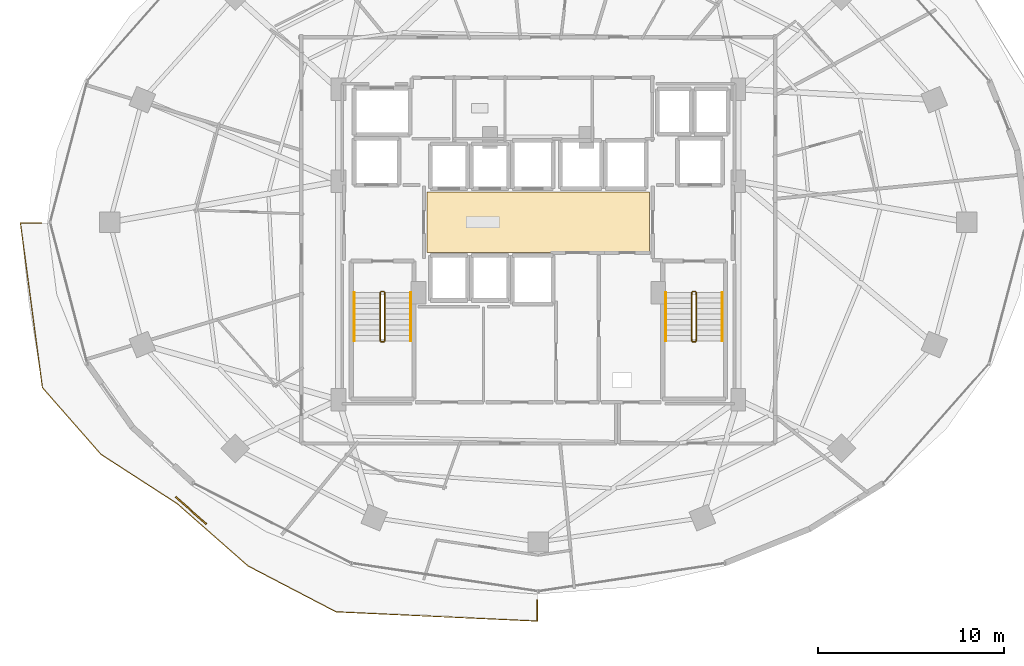
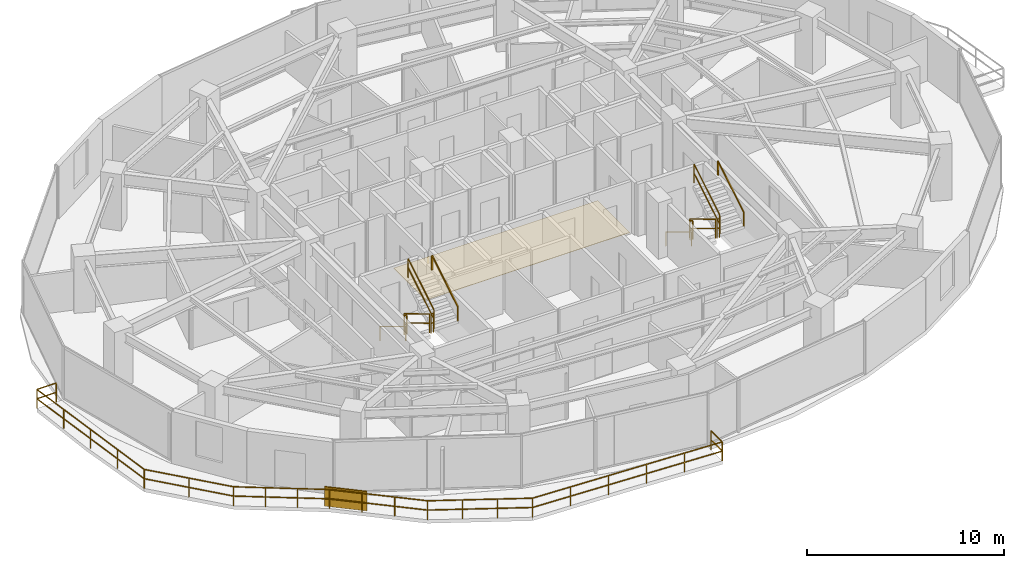
# One storey, part 27 of 29: 14 railings, 1 covering, 1 shading device.
"""IFC4 building model written with IfcOpenShell, lengths in metres."""

from ifc_helpers import new_model, si_unit, direction, frame, origin, origin_2d, place, context, subcontext, project, spatial, polyline, rectangle, outline, extrude, material, layer, layer_set, type_object, element, save


model = new_model("IFC4")

# Units and contexts
model_context = context("Model", 3, precision=1e-05, world=origin(), true_north=direction((0.0, 1.0)))
body_context = subcontext(model_context, "Body", "Model", "MODEL_VIEW")
ifc_project = project(units=[si_unit("LENGTHUNIT", "METRE"), si_unit("AREAUNIT", "SQUARE_METRE"), si_unit("VOLUMEUNIT", "CUBIC_METRE"), si_unit("PLANEANGLEUNIT", "RADIAN"), si_unit("MASSUNIT", "GRAM", prefix="KILO")], contexts=[model_context])

# Site, building, storey
site_placement = place(None, origin())
site = spatial("IfcSite", under=ifc_project, at=site_placement, CompositionType="ELEMENT")
building_placement = place(site_placement, origin())
building = spatial("IfcBuilding", under=site, at=building_placement, Name="Vorneva Point Tower", CompositionType="ELEMENT")
storey_placement = place(building_placement, frame((0.0, 0.0, 117.300048828125)))
storey = spatial("IfcBuildingStorey", under=building, at=storey_placement, Name="L31", CompositionType="ELEMENT", Elevation=117.300048828125)

# Covering
ifc_material_1 = material(Name="Acoustic wool hospitality carpet", Category="textile")
ifc_layer = layer(ifc_material_1, 0.01806640625)
ifc_layer_set = layer_set([ifc_layer], Name="Acoustic wool hospitality carpet")
covering_type = type_object("IfcCoveringType", Name="COV-FLR-CRP", PredefinedType="FLOORING", material=ifc_layer_set)
covering_placement = place(storey_placement, frame((0.0, 0.0, -0.005126953125)))
element("IfcCovering", 1, at=covering_placement, inside=storey, type_object=covering_type, Name="L31 Lift Lobby Floor Finish", PredefinedType="FLOORING", context=body_context, shape_type="SweptSolid", body=[
    extrude(outline(polyline([(32.02001953125, 24.3701171875), (43.97998046875, 24.3701171875), (43.97998046875, 27.6298828125), (32.02001953125, 27.6298828125), (32.02001953125, 24.3701171875)])), origin(), (0.0, 0.0, 1.0), 0.023193359375),
])

# Railings
ifc_material_2 = material(Name="Pale anodised aluminium", Category="aluminium")
railing_type_1 = type_object("IfcRailingType", Name="RL-BAL-1200", PredefinedType="BALUSTRADE", material=ifc_material_2)
railing_1_placement = place(storey_placement, frame((37.949951171875, 4.547607421875, 0.0)))
element("IfcRailing", 2, at=railing_1_placement, inside=storey, type_object=railing_type_1, Name="L31 Wave Balcony Balustrade SW.1", PredefinedType="BALUSTRADE", context=body_context, shape_type="SweptSolid", body=[
    extrude(rectangle(XDim=0.048095703125, YDim=0.048095703125, at=origin_2d()), frame((0.0, 0.0, 1.17578125), z_axis=(0.0, 1.0, 0.0), x_axis=(-1.0, 0.0, 0.0)), (0.0, 0.0, 1.0), 1.13525390625),
    extrude(rectangle(XDim=0.048095703125, YDim=0.048095703125, at=origin_2d()), frame((0.0, 0.0, 0.60009765625), z_axis=(0.0, 1.0, 0.0), x_axis=(-1.0, 0.0, 0.0)), (0.0, 0.0, 1.0), 1.13525390625),
    extrude(rectangle(XDim=0.0419921875, YDim=0.0419921875, at=origin_2d()), origin(), (0.0, 0.0, 1.0), 1.15185546875),
    extrude(rectangle(XDim=0.0419921875, YDim=0.0419921875, at=origin_2d()), frame((0.0, 1.13525390625, 0.0)), (0.0, 0.0, 1.0), 1.15185546875),
])
railing_2_placement = place(storey_placement, frame((11.28369140625, 25.949951171875, 0.0)))
element("IfcRailing", 3, at=railing_2_placement, inside=storey, type_object=railing_type_1, Name="L31 Wave Balcony Balustrade SW.2", PredefinedType="BALUSTRADE", context=body_context, shape_type="SweptSolid", body=[
    extrude(rectangle(XDim=0.048095703125, YDim=0.048095703125, at=origin_2d()), frame((0.0, 0.0, 1.17578125), z_axis=(-1.0, 0.0, 0.0), x_axis=(0.0, -1.0, 0.0)), (0.0, 0.0, 1.0), 1.13330078125),
    extrude(rectangle(XDim=0.048095703125, YDim=0.048095703125, at=origin_2d()), frame((0.0, 0.0, 0.60009765625), z_axis=(-1.0, 0.0, 0.0), x_axis=(0.0, -1.0, 0.0)), (0.0, 0.0, 1.0), 1.13330078125),
    extrude(rectangle(XDim=0.048095703125, YDim=0.048095703125, at=origin_2d()), frame((-1.13330078125, 0.0, 1.17578125), z_axis=(0.132272984189, -0.991213326007, 0.0), x_axis=(0.991213326007, 0.132272984189, 0.0)), (0.0, 0.0, 1.0), 8.927734375),
    extrude(rectangle(XDim=0.048095703125, YDim=0.048095703125, at=origin_2d()), frame((-1.13330078125, 0.0, 0.60009765625), z_axis=(0.132272984189, -0.991213326007, 0.0), x_axis=(0.991213326007, 0.132272984189, 0.0)), (0.0, 0.0, 1.0), 8.927734375),
    extrude(rectangle(XDim=0.048095703125, YDim=0.048095703125, at=origin_2d()), frame((0.047607421875, -8.849365234375, 1.17578125), z_axis=(0.65966820994, -0.751556952463, 0.0), x_axis=(0.751556952463, 0.65966820994, 0.0)), (0.0, 0.0, 1.0), 4.77978515625),
    extrude(rectangle(XDim=0.048095703125, YDim=0.048095703125, at=origin_2d()), frame((0.047607421875, -8.849365234375, 0.60009765625), z_axis=(0.65966820994, -0.751556952463, 0.0), x_axis=(0.751556952463, 0.65966820994, 0.0)), (0.0, 0.0, 1.0), 4.77978515625),
    extrude(rectangle(XDim=0.048095703125, YDim=0.048095703125, at=origin_2d()), frame((3.20068359375, -12.441650390625, 1.17578125), z_axis=(0.839743461162, -0.542983350975, 0.0), x_axis=(0.542983350975, 0.839743461162, 0.0)), (0.0, 0.0, 1.0), 4.87451171875),
    extrude(rectangle(XDim=0.048095703125, YDim=0.048095703125, at=origin_2d()), frame((3.20068359375, -12.441650390625, 0.60009765625), z_axis=(0.839743461162, -0.542983350975, 0.0), x_axis=(0.542983350975, 0.839743461162, 0.0)), (0.0, 0.0, 1.0), 4.87451171875),
    extrude(rectangle(XDim=0.048095703125, YDim=0.048095703125, at=origin_2d()), frame((7.2939453125, -15.08837890625, 1.17578125), z_axis=(0.750995803, -0.660306977001, 0.0), x_axis=(0.660306977001, 0.750995803, 0.0)), (0.0, 0.0, 1.0), 5.0771484375),
    extrude(rectangle(XDim=0.048095703125, YDim=0.048095703125, at=origin_2d()), frame((7.2939453125, -15.08837890625, 0.60009765625), z_axis=(0.750995803, -0.660306977001, 0.0), x_axis=(0.660306977001, 0.750995803, 0.0)), (0.0, 0.0, 1.0), 5.0771484375),
    extrude(rectangle(XDim=0.048095703125, YDim=0.048095703125, at=origin_2d()), frame((11.10693359375, -18.44091796875, 1.17578125), z_axis=(0.886830442852, -0.462094974688, 0.0), x_axis=(0.462094974688, 0.886830442852, 0.0)), (0.0, 0.0, 1.0), 5.33251953125),
    extrude(rectangle(XDim=0.048095703125, YDim=0.048095703125, at=origin_2d()), frame((11.10693359375, -18.44091796875, 0.60009765625), z_axis=(0.886830442852, -0.462094974688, 0.0), x_axis=(0.462094974688, 0.886830442852, 0.0)), (0.0, 0.0, 1.0), 5.33251953125),
    extrude(rectangle(XDim=0.048095703125, YDim=0.048095703125, at=origin_2d()), frame((15.8359375, -20.905029296875, 1.17578125), z_axis=(0.998947400212, -0.045870378356, 0.0), x_axis=(0.045870378356, 0.998947400212, 0.0)), (0.0, 0.0, 1.0), 10.841796875),
    extrude(rectangle(XDim=0.048095703125, YDim=0.048095703125, at=origin_2d()), frame((15.8359375, -20.905029296875, 0.60009765625), z_axis=(0.998947400212, -0.045870378356, 0.0), x_axis=(0.045870378356, 0.998947400212, 0.0)), (0.0, 0.0, 1.0), 10.841796875),
    extrude(rectangle(XDim=0.0419921875, YDim=0.0419921875, at=origin_2d()), origin(), (0.0, 0.0, 1.0), 1.15185546875),
    extrude(rectangle(XDim=0.0419921875, YDim=0.0419921875, at=origin_2d()), frame((-1.13330078125, 0.0, 0.0)), (0.0, 0.0, 1.0), 1.15185546875),
    extrude(rectangle(XDim=0.0419921875, YDim=0.0419921875, at=origin_2d()), frame((-0.838134765625, -2.21240234375, 0.0)), (0.0, 0.0, 1.0), 1.15185546875),
    extrude(rectangle(XDim=0.0419921875, YDim=0.0419921875, at=origin_2d()), frame((-0.54296875, -4.4248046875, 0.0)), (0.0, 0.0, 1.0), 1.15185546875),
    extrude(rectangle(XDim=0.0419921875, YDim=0.0419921875, at=origin_2d()), frame((-0.24755859375, -6.636962890625, 0.0)), (0.0, 0.0, 1.0), 1.15185546875),
    extrude(rectangle(XDim=0.0419921875, YDim=0.0419921875, at=origin_2d()), frame((0.047607421875, -8.849365234375, 0.0)), (0.0, 0.0, 1.0), 1.15185546875),
    extrude(rectangle(XDim=0.0419921875, YDim=0.0419921875, at=origin_2d()), frame((1.6240234375, -10.6455078125, 0.0)), (0.0, 0.0, 1.0), 1.15185546875),
    extrude(rectangle(XDim=0.0419921875, YDim=0.0419921875, at=origin_2d()), frame((3.20068359375, -12.441650390625, 0.0)), (0.0, 0.0, 1.0), 1.15185546875),
    extrude(rectangle(XDim=0.0419921875, YDim=0.0419921875, at=origin_2d()), frame((4.565185546875, -13.323974609375, 0.0)), (0.0, 0.0, 1.0), 1.15185546875),
    extrude(rectangle(XDim=0.0419921875, YDim=0.0419921875, at=origin_2d()), frame((5.929443359375, -14.2060546875, 0.0)), (0.0, 0.0, 1.0), 1.15185546875),
    extrude(rectangle(XDim=0.0419921875, YDim=0.0419921875, at=origin_2d()), frame((7.2939453125, -15.08837890625, 0.0)), (0.0, 0.0, 1.0), 1.15185546875),
    extrude(rectangle(XDim=0.0419921875, YDim=0.0419921875, at=origin_2d()), frame((8.56494140625, -16.205810546875, 0.0)), (0.0, 0.0, 1.0), 1.15185546875),
    extrude(rectangle(XDim=0.0419921875, YDim=0.0419921875, at=origin_2d()), frame((9.8359375, -17.323486328125, 0.0)), (0.0, 0.0, 1.0), 1.15185546875),
    extrude(rectangle(XDim=0.0419921875, YDim=0.0419921875, at=origin_2d()), frame((11.10693359375, -18.44091796875, 0.0)), (0.0, 0.0, 1.0), 1.15185546875),
    extrude(rectangle(XDim=0.0419921875, YDim=0.0419921875, at=origin_2d()), frame((12.683349609375, -19.26220703125, 0.0)), (0.0, 0.0, 1.0), 1.15185546875),
    extrude(rectangle(XDim=0.0419921875, YDim=0.0419921875, at=origin_2d()), frame((14.259521484375, -20.083740234375, 0.0)), (0.0, 0.0, 1.0), 1.15185546875),
    extrude(rectangle(XDim=0.0419921875, YDim=0.0419921875, at=origin_2d()), frame((15.8359375, -20.905029296875, 0.0)), (0.0, 0.0, 1.0), 1.15185546875),
    extrude(rectangle(XDim=0.0419921875, YDim=0.0419921875, at=origin_2d()), frame((18.001953125, -21.00439453125, 0.0)), (0.0, 0.0, 1.0), 1.15185546875),
    extrude(rectangle(XDim=0.0419921875, YDim=0.0419921875, at=origin_2d()), frame((20.16796875, -21.10400390625, 0.0)), (0.0, 0.0, 1.0), 1.15185546875),
    extrude(rectangle(XDim=0.0419921875, YDim=0.0419921875, at=origin_2d()), frame((22.334228515625, -21.203369140625, 0.0)), (0.0, 0.0, 1.0), 1.15185546875),
    extrude(rectangle(XDim=0.0419921875, YDim=0.0419921875, at=origin_2d()), frame((24.500244140625, -21.302978515625, 0.0)), (0.0, 0.0, 1.0), 1.15185546875),
    extrude(rectangle(XDim=0.0419921875, YDim=0.0419921875, at=origin_2d()), frame((26.666259765625, -21.40234375, 0.0)), (0.0, 0.0, 1.0), 1.15185546875),
])
ifc_material_3 = material(Name="Brushed stainless steel S304", Category="steel")
railing_type_2 = type_object("IfcRailingType", Name="RL-HND-920", PredefinedType="HANDRAIL", material=ifc_material_3)
railing_3_placement = place(storey_placement, frame((28.10009765625, 22.219970703125, 0.175048828125)))
element("IfcRailing", 4, at=railing_3_placement, inside=storey, type_object=railing_type_2, Name="L31 ST1 stair handrail 1", PredefinedType="HANDRAIL", context=body_context, shape_type="SweptSolid", body=[
    extrude(rectangle(XDim=0.048095703125, YDim=0.048095703125, at=origin_2d()), frame((0.0, 0.0, 0.8759765625), z_axis=(0.0, -0.85618277418, 0.516673066065), x_axis=(1.0, 0.0, 0.0)), (0.0, 0.0, 1.0), 3.04833984375),
    extrude(rectangle(XDim=0.0419921875, YDim=0.0419921875, at=origin_2d()), origin(), (0.0, 0.0, 1.0), 0.851806640625),
    extrude(rectangle(XDim=0.0419921875, YDim=0.0419921875, at=origin_2d()), frame((0.0, -2.60986328125, 1.574951171875)), (0.0, 0.0, 1.0), 0.851806640625),
])
railing_4_placement = place(storey_placement, frame((31.14990234375, 19.610107421875, 1.925048828125)))
element("IfcRailing", 5, at=railing_4_placement, inside=storey, type_object=railing_type_2, Name="L31 ST1 stair handrail 2", PredefinedType="HANDRAIL", context=body_context, shape_type="SweptSolid", body=[
    extrude(rectangle(XDim=0.048095703125, YDim=0.048095703125, at=origin_2d()), frame((0.0, 0.0, 0.8759765625), z_axis=(0.0, 0.85618277418, 0.516673066065), x_axis=(-1.0, 0.0, 0.0)), (0.0, 0.0, 1.0), 3.04833984375),
    extrude(rectangle(XDim=0.0419921875, YDim=0.0419921875, at=origin_2d()), origin(), (0.0, 0.0, 1.0), 0.851806640625),
    extrude(rectangle(XDim=0.0419921875, YDim=0.0419921875, at=origin_2d()), frame((0.0, 2.60986328125, 1.574951171875)), (0.0, 0.0, 1.0), 0.851806640625),
])
railing_5_placement = place(storey_placement, frame((44.85009765625, 22.219970703125, 0.175048828125)))
element("IfcRailing", 6, at=railing_5_placement, inside=storey, type_object=railing_type_2, Name="L31 ST2 stair handrail 1", PredefinedType="HANDRAIL", context=body_context, shape_type="SweptSolid", body=[
    extrude(rectangle(XDim=0.048095703125, YDim=0.048095703125, at=origin_2d()), frame((0.0, 0.0, 0.8759765625), z_axis=(0.0, -0.85618277418, 0.516673066065), x_axis=(1.0, 0.0, 0.0)), (0.0, 0.0, 1.0), 3.04833984375),
    extrude(rectangle(XDim=0.0419921875, YDim=0.0419921875, at=origin_2d()), origin(), (0.0, 0.0, 1.0), 0.851806640625),
    extrude(rectangle(XDim=0.0419921875, YDim=0.0419921875, at=origin_2d()), frame((0.0, -2.60986328125, 1.574951171875)), (0.0, 0.0, 1.0), 0.851806640625),
])
railing_6_placement = place(storey_placement, frame((47.89990234375, 19.610107421875, 1.925048828125)))
element("IfcRailing", 7, at=railing_6_placement, inside=storey, type_object=railing_type_2, Name="L31 ST2 stair handrail 2", PredefinedType="HANDRAIL", context=body_context, shape_type="SweptSolid", body=[
    extrude(rectangle(XDim=0.048095703125, YDim=0.048095703125, at=origin_2d()), frame((0.0, 0.0, 0.8759765625), z_axis=(0.0, 0.85618277418, 0.516673066065), x_axis=(-1.0, 0.0, 0.0)), (0.0, 0.0, 1.0), 3.04833984375),
    extrude(rectangle(XDim=0.0419921875, YDim=0.0419921875, at=origin_2d()), origin(), (0.0, 0.0, 1.0), 0.851806640625),
    extrude(rectangle(XDim=0.0419921875, YDim=0.0419921875, at=origin_2d()), frame((0.0, 2.60986328125, 1.574951171875)), (0.0, 0.0, 1.0), 0.851806640625),
])
railing_type_3 = type_object("IfcRailingType", Name="RL-STG-1100", PredefinedType="GUARDRAIL", material=ifc_material_3)
railing_7_placement = place(storey_placement, frame((29.5, 22.219970703125, 0.175048828125)))
element("IfcRailing", 8, at=railing_7_placement, inside=storey, type_object=railing_type_3, Name="L31 ST1 stair guard 1", PredefinedType="GUARDRAIL", context=body_context, shape_type="SweptSolid", body=[
    extrude(rectangle(XDim=0.048095703125, YDim=0.048095703125, at=origin_2d()), frame((0.0, 0.0, 1.17578125), z_axis=(0.0, -0.85618277418, 0.516673066065), x_axis=(1.0, 0.0, 0.0)), (0.0, 0.0, 1.0), 3.04833984375),
    extrude(rectangle(XDim=0.048095703125, YDim=0.048095703125, at=origin_2d()), frame((0.0, 0.0, 0.60009765625), z_axis=(0.0, -0.85618277418, 0.516673066065), x_axis=(1.0, 0.0, 0.0)), (0.0, 0.0, 1.0), 3.04833984375),
    extrude(rectangle(XDim=0.0419921875, YDim=0.0419921875, at=origin_2d()), origin(), (0.0, 0.0, 1.0), 1.15185546875),
    extrude(rectangle(XDim=0.0419921875, YDim=0.0419921875, at=origin_2d()), frame((0.0, -2.60986328125, 1.574951171875)), (0.0, 0.0, 1.0), 1.15185546875),
])
railing_8_placement = place(storey_placement, frame((29.550048828125, 19.56005859375, 1.75)))
element("IfcRailing", 9, at=railing_8_placement, inside=storey, type_object=railing_type_3, Name="L31 ST1 stair guard 2", PredefinedType="GUARDRAIL", context=body_context, shape_type="SweptSolid", body=[
    extrude(rectangle(XDim=0.048095703125, YDim=0.048095703125, at=origin_2d()), frame((0.0, 0.0, 1.17578125), z_axis=(1.0, 0.0, 0.0), x_axis=(0.0, 1.0, 0.0)), (0.0, 0.0, 1.0), 0.14990234375),
    extrude(rectangle(XDim=0.048095703125, YDim=0.048095703125, at=origin_2d()), frame((0.0, 0.0, 0.60009765625), z_axis=(1.0, 0.0, 0.0), x_axis=(0.0, 1.0, 0.0)), (0.0, 0.0, 1.0), 0.14990234375),
    extrude(rectangle(XDim=0.0419921875, YDim=0.0419921875, at=origin_2d()), origin(), (0.0, 0.0, 1.0), 1.15185546875),
    extrude(rectangle(XDim=0.0419921875, YDim=0.0419921875, at=origin_2d()), frame((0.14990234375, 0.0, 0.0)), (0.0, 0.0, 1.0), 1.15185546875),
])
railing_9_placement = place(storey_placement, frame((29.75, 19.610107421875, 1.925048828125)))
element("IfcRailing", 10, at=railing_9_placement, inside=storey, type_object=railing_type_3, Name="L31 ST1 stair guard 3", PredefinedType="GUARDRAIL", context=body_context, shape_type="SweptSolid", body=[
    extrude(rectangle(XDim=0.048095703125, YDim=0.048095703125, at=origin_2d()), frame((0.0, 0.0, 1.17578125), z_axis=(0.0, 0.85618277418, 0.516673066065), x_axis=(-1.0, 0.0, 0.0)), (0.0, 0.0, 1.0), 3.04833984375),
    extrude(rectangle(XDim=0.048095703125, YDim=0.048095703125, at=origin_2d()), frame((0.0, 0.0, 0.60009765625), z_axis=(0.0, 0.85618277418, 0.516673066065), x_axis=(-1.0, 0.0, 0.0)), (0.0, 0.0, 1.0), 3.04833984375),
    extrude(rectangle(XDim=0.0419921875, YDim=0.0419921875, at=origin_2d()), origin(), (0.0, 0.0, 1.0), 1.15185546875),
    extrude(rectangle(XDim=0.0419921875, YDim=0.0419921875, at=origin_2d()), frame((0.0, 2.60986328125, 1.574951171875)), (0.0, 0.0, 1.0), 1.15185546875),
])
railing_10_placement = place(storey_placement, frame((29.550048828125, 22.27001953125, 0.0)))
element("IfcRailing", 11, at=railing_10_placement, inside=storey, type_object=railing_type_3, Name="L31 ST1 stair guard 4", PredefinedType="GUARDRAIL", context=body_context, shape_type="SweptSolid", body=[
    extrude(rectangle(XDim=0.048095703125, YDim=0.048095703125, at=origin_2d()), frame((0.0, 0.0, 1.17578125), z_axis=(1.0, 0.0, 0.0), x_axis=(0.0, 1.0, 0.0)), (0.0, 0.0, 1.0), 0.14990234375),
    extrude(rectangle(XDim=0.048095703125, YDim=0.048095703125, at=origin_2d()), frame((0.0, 0.0, 0.60009765625), z_axis=(1.0, 0.0, 0.0), x_axis=(0.0, 1.0, 0.0)), (0.0, 0.0, 1.0), 0.14990234375),
    extrude(rectangle(XDim=0.0419921875, YDim=0.0419921875, at=origin_2d()), origin(), (0.0, 0.0, 1.0), 1.15185546875),
    extrude(rectangle(XDim=0.0419921875, YDim=0.0419921875, at=origin_2d()), frame((0.14990234375, 0.0, 0.0)), (0.0, 0.0, 1.0), 1.15185546875),
])
railing_11_placement = place(storey_placement, frame((46.25, 22.219970703125, 0.175048828125)))
element("IfcRailing", 12, at=railing_11_placement, inside=storey, type_object=railing_type_3, Name="L31 ST2 stair guard 1", PredefinedType="GUARDRAIL", context=body_context, shape_type="SweptSolid", body=[
    extrude(rectangle(XDim=0.048095703125, YDim=0.048095703125, at=origin_2d()), frame((0.0, 0.0, 1.17578125), z_axis=(0.0, -0.85618277418, 0.516673066065), x_axis=(1.0, 0.0, 0.0)), (0.0, 0.0, 1.0), 3.04833984375),
    extrude(rectangle(XDim=0.048095703125, YDim=0.048095703125, at=origin_2d()), frame((0.0, 0.0, 0.60009765625), z_axis=(0.0, -0.85618277418, 0.516673066065), x_axis=(1.0, 0.0, 0.0)), (0.0, 0.0, 1.0), 3.04833984375),
    extrude(rectangle(XDim=0.0419921875, YDim=0.0419921875, at=origin_2d()), origin(), (0.0, 0.0, 1.0), 1.15185546875),
    extrude(rectangle(XDim=0.0419921875, YDim=0.0419921875, at=origin_2d()), frame((0.0, -2.60986328125, 1.574951171875)), (0.0, 0.0, 1.0), 1.15185546875),
])
railing_12_placement = place(storey_placement, frame((46.300048828125, 19.56005859375, 1.75)))
element("IfcRailing", 13, at=railing_12_placement, inside=storey, type_object=railing_type_3, Name="L31 ST2 stair guard 2", PredefinedType="GUARDRAIL", context=body_context, shape_type="SweptSolid", body=[
    extrude(rectangle(XDim=0.048095703125, YDim=0.048095703125, at=origin_2d()), frame((0.0, 0.0, 1.17578125), z_axis=(1.0, 0.0, 0.0), x_axis=(0.0, 1.0, 0.0)), (0.0, 0.0, 1.0), 0.14990234375),
    extrude(rectangle(XDim=0.048095703125, YDim=0.048095703125, at=origin_2d()), frame((0.0, 0.0, 0.60009765625), z_axis=(1.0, 0.0, 0.0), x_axis=(0.0, 1.0, 0.0)), (0.0, 0.0, 1.0), 0.14990234375),
    extrude(rectangle(XDim=0.0419921875, YDim=0.0419921875, at=origin_2d()), origin(), (0.0, 0.0, 1.0), 1.15185546875),
    extrude(rectangle(XDim=0.0419921875, YDim=0.0419921875, at=origin_2d()), frame((0.14990234375, 0.0, 0.0)), (0.0, 0.0, 1.0), 1.15185546875),
])
railing_13_placement = place(storey_placement, frame((46.5, 19.610107421875, 1.925048828125)))
element("IfcRailing", 14, at=railing_13_placement, inside=storey, type_object=railing_type_3, Name="L31 ST2 stair guard 3", PredefinedType="GUARDRAIL", context=body_context, shape_type="SweptSolid", body=[
    extrude(rectangle(XDim=0.048095703125, YDim=0.048095703125, at=origin_2d()), frame((0.0, 0.0, 1.17578125), z_axis=(0.0, 0.85618277418, 0.516673066065), x_axis=(-1.0, 0.0, 0.0)), (0.0, 0.0, 1.0), 3.04833984375),
    extrude(rectangle(XDim=0.048095703125, YDim=0.048095703125, at=origin_2d()), frame((0.0, 0.0, 0.60009765625), z_axis=(0.0, 0.85618277418, 0.516673066065), x_axis=(-1.0, 0.0, 0.0)), (0.0, 0.0, 1.0), 3.04833984375),
    extrude(rectangle(XDim=0.0419921875, YDim=0.0419921875, at=origin_2d()), origin(), (0.0, 0.0, 1.0), 1.15185546875),
    extrude(rectangle(XDim=0.0419921875, YDim=0.0419921875, at=origin_2d()), frame((0.0, 2.60986328125, 1.574951171875)), (0.0, 0.0, 1.0), 1.15185546875),
])
railing_14_placement = place(storey_placement, frame((46.300048828125, 22.27001953125, 0.0)))
element("IfcRailing", 15, at=railing_14_placement, inside=storey, type_object=railing_type_3, Name="L31 ST2 stair guard 4", PredefinedType="GUARDRAIL", context=body_context, shape_type="SweptSolid", body=[
    extrude(rectangle(XDim=0.048095703125, YDim=0.048095703125, at=origin_2d()), frame((0.0, 0.0, 1.17578125), z_axis=(1.0, 0.0, 0.0), x_axis=(0.0, 1.0, 0.0)), (0.0, 0.0, 1.0), 0.14990234375),
    extrude(rectangle(XDim=0.048095703125, YDim=0.048095703125, at=origin_2d()), frame((0.0, 0.0, 0.60009765625), z_axis=(1.0, 0.0, 0.0), x_axis=(0.0, 1.0, 0.0)), (0.0, 0.0, 1.0), 0.14990234375),
    extrude(rectangle(XDim=0.0419921875, YDim=0.0419921875, at=origin_2d()), origin(), (0.0, 0.0, 1.0), 1.15185546875),
    extrude(rectangle(XDim=0.0419921875, YDim=0.0419921875, at=origin_2d()), frame((0.14990234375, 0.0, 0.0)), (0.0, 0.0, 1.0), 1.15185546875),
])

# Shading device
shading_device_type = type_object("IfcShadingDeviceType", Name="SHD-JAL-1200", PredefinedType="JALOUSIE", material=ifc_material_2)
shading_device_placement = place(storey_placement, frame((19.322509765625, 10.495849609375, -0.02001953125), z_axis=(0.0, 0.0, 1.0), x_axis=(0.75099913133, -0.660303191527, 0.0)))
element("IfcShadingDevice", 16, at=shading_device_placement, inside=storey, type_object=shading_device_type, Name="L31 Balcony Vertical-Greenery Planter Screen SW.2", PredefinedType="JALOUSIE", context=body_context, shape_type="SweptSolid", body=[
    extrude(rectangle(XDim=2.199951171875, YDim=0.080078125, at=origin_2d()), origin(), (0.0, 0.0, 1.0), 1.199951171875),
])

save(model, "model.ifc")
